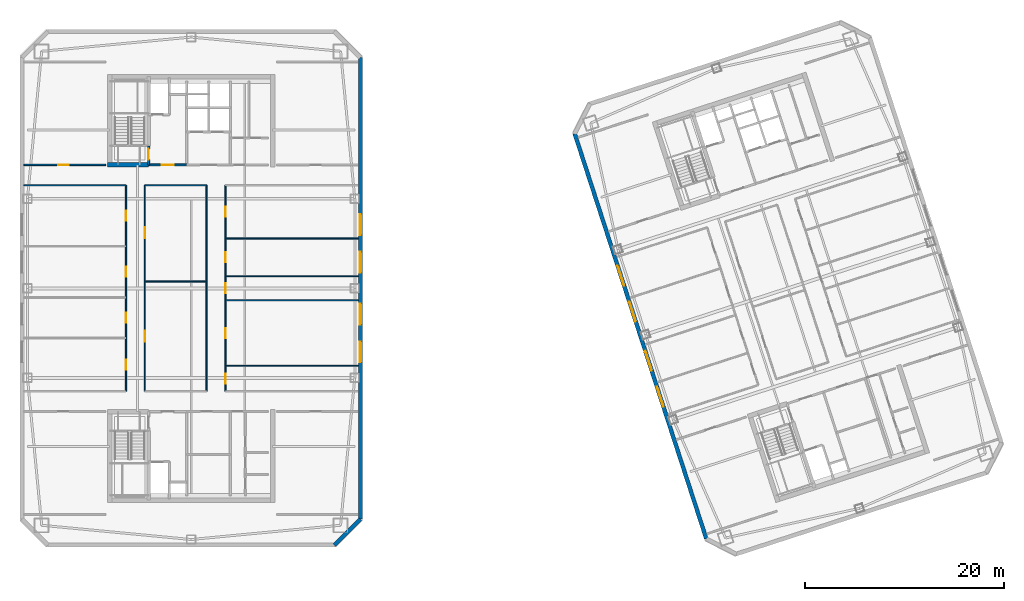
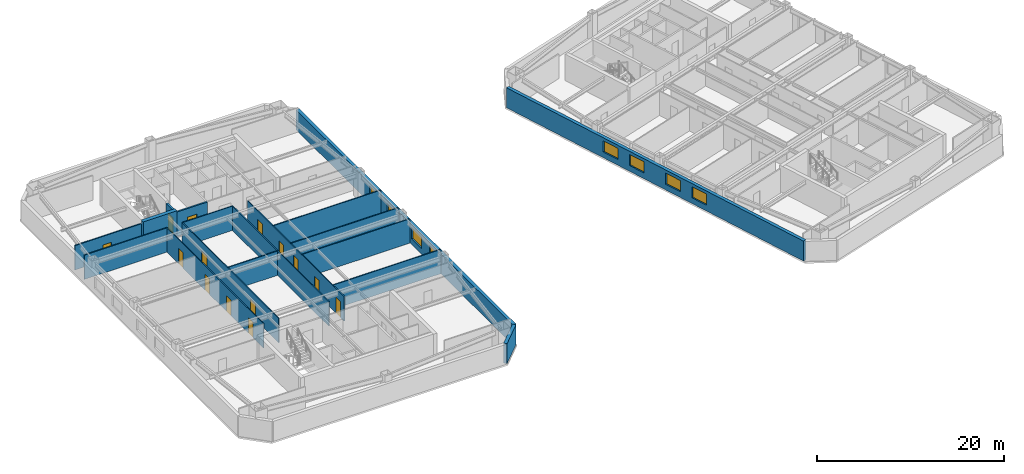
# One storey, part 6 of 13: 18 walls, 14 doors, 8 windows, 22 openings.
"""IFC4 building model written with IfcOpenShell, lengths in metres."""

from ifc_helpers import new_model, si_unit, direction, frame, frame_2d, origin, place, context, subcontext, project, spatial, rectangle, extrude, material, layer, layer_set, type_object, element, fill, save


model = new_model("IFC4")

# Units and contexts
model_context = context("Model", 3, precision=1e-05, world=origin(), true_north=direction((0.0, 1.0)))
body_context = subcontext(model_context, "Body", "Model", "MODEL_VIEW")
ifc_project = project(units=[si_unit("LENGTHUNIT", "METRE"), si_unit("AREAUNIT", "SQUARE_METRE"), si_unit("VOLUMEUNIT", "CUBIC_METRE"), si_unit("PLANEANGLEUNIT", "RADIAN"), si_unit("MASSUNIT", "GRAM", prefix="KILO")], contexts=[model_context])

# Site, building, storey
site_placement = place(None, origin())
site = spatial("IfcSite", under=ifc_project, at=site_placement, CompositionType="ELEMENT")
building_placement = place(site_placement, origin())
building = spatial("IfcBuilding", under=site, at=building_placement, Name="Qiaolan Cultural Towers", CompositionType="ELEMENT")
storey_placement = place(building_placement, frame((0.0, 0.0, 192.050048828125)))
storey = spatial("IfcBuildingStorey", under=building, at=storey_placement, Name="L51", CompositionType="ELEMENT", Elevation=192.050048828125)

# Wall
ifc_material_1 = material(Name="Concrete C50", Category="concrete")
ifc_layer_1 = layer(ifc_material_1, 0.449951171875)
ifc_layer_set_1 = layer_set([ifc_layer_1], Name="Concrete C50")
wall_type_1 = type_object("IfcWallType", Name="WL-CORE-450", PredefinedType="SHEAR", material=ifc_layer_set_1)
wall_1_placement = place(storey_placement, frame((21.574951171875, 46.39990234375, 0.0), z_axis=(0.0, 0.0, 1.0), x_axis=(1.0, 0.0, 0.0)))
element("IfcWall", 1, at=wall_1_placement, inside=storey, type_object=wall_type_1, Name="L51 T1-CN Stair Front Shear Wall", PredefinedType="SHEAR", context=body_context, shape_type="SweptSolid", body=[
    extrude(rectangle(XDim=4.14501953125, YDim=0.449951171875, at=frame_2d((2.072509765625, 0.0))), origin(), (0.0, 0.0, 1.0), 3.449951171875),
])

# Wall, openings, windows
ifc_material_2 = material(Name="Precast Concrete C50 Honed Stone Pier", Category="masonry")
ifc_layer_2 = layer(ifc_material_2, 0.39990234375)
ifc_layer_set_2 = layer_set([ifc_layer_2], Name="Precast Concrete C50 Honed Stone Pier")
wall_type_2 = type_object("IfcWallType", Name="WL-EXT-PIER-400", PredefinedType="SOLIDWALL", material=ifc_layer_set_2)
wall_2_placement = place(storey_placement, frame((47.0, 57.199951171875, 0.0), z_axis=(0.0, 0.0, 1.0), x_axis=(0.0, -1.0, 0.0)))
wall_2 = element("IfcWall", 2, at=wall_2_placement, inside=storey, type_object=wall_type_2, Name="L51 West Tower Precast Pier Facade Wall F5", PredefinedType="SOLIDWALL", context=body_context, shape_type="SweptSolid", body=[
    extrude(rectangle(XDim=46.39990234375, YDim=0.39990234375, at=frame_2d((23.199951171875, 0.0))), origin(), (0.0, 0.0, 1.0), 2.60986328125),
])
opening_1_placement = place(wall_2_placement, frame((28.550048828125, 0.0, 0.75)))
opening_1 = element("IfcOpeningElement", 3, at=opening_1_placement, cuts=wall_2, Name="Opening W-05", PredefinedType="OPENING", context=body_context, shape_type="SweptSolid", body=[
    extrude(rectangle(XDim=2.10009765625, YDim=1.4599609375, at=frame_2d((1.050048828125, 0.72998046875))), frame((0.0, 0.2099609375, 0.0), z_axis=(0.0, -1.0, 0.0), x_axis=(1.0, 0.0, 0.0)), (0.0, 0.0, 1.0), 0.419921875),
])
opening_2_placement = place(wall_2_placement, frame((24.75, 0.0, 0.75)))
opening_2 = element("IfcOpeningElement", 4, at=opening_2_placement, cuts=wall_2, Name="Opening W-05", PredefinedType="OPENING", context=body_context, shape_type="SweptSolid", body=[
    extrude(rectangle(XDim=2.10009765625, YDim=1.4599609375, at=frame_2d((1.050048828125, 0.72998046875))), frame((0.0, 0.2099609375, 0.0), z_axis=(0.0, -1.0, 0.0), x_axis=(1.0, 0.0, 0.0)), (0.0, 0.0, 1.0), 0.419921875),
])
opening_3_placement = place(wall_2_placement, frame((19.550048828125, 0.0, 0.75)))
opening_3 = element("IfcOpeningElement", 5, at=opening_3_placement, cuts=wall_2, Name="Opening W-05", PredefinedType="OPENING", context=body_context, shape_type="SweptSolid", body=[
    extrude(rectangle(XDim=2.10009765625, YDim=1.4599609375, at=frame_2d((1.050048828125, 0.72998046875))), frame((0.0, 0.2099609375, 0.0), z_axis=(0.0, -1.0, 0.0), x_axis=(1.0, 0.0, 0.0)), (0.0, 0.0, 1.0), 0.419921875),
])
opening_4_placement = place(wall_2_placement, frame((15.75, 0.0, 0.75)))
opening_4 = element("IfcOpeningElement", 6, at=opening_4_placement, cuts=wall_2, Name="Opening W-05", PredefinedType="OPENING", context=body_context, shape_type="SweptSolid", body=[
    extrude(rectangle(XDim=2.10009765625, YDim=1.4599609375, at=frame_2d((1.050048828125, 0.72998046875))), frame((0.0, 0.2099609375, 0.0), z_axis=(0.0, -1.0, 0.0), x_axis=(1.0, 0.0, 0.0)), (0.0, 0.0, 1.0), 0.419921875),
])
ifc_material_3 = material(Name="Thermally Broken Aluminium Triple Low-E Glazing", Category="aluminium")
window_type = type_object("IfcWindowType", Name="WN-CHIC-2100", PartitioningType="SINGLE_PANEL", PredefinedType="WINDOW", material=ifc_material_3)
window_1_placement = place(opening_1_placement, origin())
window_1 = element("IfcWindow", 7, at=window_1_placement, inside=storey, type_object=window_type, Name="L51 T1 E Chicago Bay Window 1", OverallHeight=1.4599609375, OverallWidth=2.10009765625, PartitioningType="TRIPLE_PANEL_VERTICAL", PredefinedType="WINDOW", context=body_context, shape_type="SweptSolid", body=[
    extrude(rectangle(XDim=2.10009765625, YDim=1.4599609375, at=frame_2d((1.050048828125, 0.72998046875))), frame((0.0, 0.030029296875, 0.0), z_axis=(0.0, -1.0, 0.0), x_axis=(1.0, 0.0, 0.0)), (0.0, 0.0, 1.0), 0.06005859375),
])
fill(opening_1, window_1)
window_2_placement = place(opening_2_placement, origin())
window_2 = element("IfcWindow", 8, at=window_2_placement, inside=storey, type_object=window_type, Name="L51 T1 E Chicago Bay Window 2", OverallHeight=1.4599609375, OverallWidth=2.10009765625, PartitioningType="TRIPLE_PANEL_VERTICAL", PredefinedType="WINDOW", context=body_context, shape_type="SweptSolid", body=[
    extrude(rectangle(XDim=2.10009765625, YDim=1.4599609375, at=frame_2d((1.050048828125, 0.72998046875))), frame((0.0, 0.030029296875, 0.0), z_axis=(0.0, -1.0, 0.0), x_axis=(1.0, 0.0, 0.0)), (0.0, 0.0, 1.0), 0.06005859375),
])
fill(opening_2, window_2)
window_3_placement = place(opening_3_placement, origin())
window_3 = element("IfcWindow", 9, at=window_3_placement, inside=storey, type_object=window_type, Name="L51 T1 E Chicago Bay Window 3", OverallHeight=1.4599609375, OverallWidth=2.10009765625, PartitioningType="TRIPLE_PANEL_VERTICAL", PredefinedType="WINDOW", context=body_context, shape_type="SweptSolid", body=[
    extrude(rectangle(XDim=2.10009765625, YDim=1.4599609375, at=frame_2d((1.050048828125, 0.72998046875))), frame((0.0, 0.030029296875, 0.0), z_axis=(0.0, -1.0, 0.0), x_axis=(1.0, 0.0, 0.0)), (0.0, 0.0, 1.0), 0.06005859375),
])
fill(opening_3, window_3)
window_4_placement = place(opening_4_placement, origin())
window_4 = element("IfcWindow", 10, at=window_4_placement, inside=storey, type_object=window_type, Name="L51 T1 E Chicago Bay Window 4", OverallHeight=1.4599609375, OverallWidth=2.10009765625, PartitioningType="TRIPLE_PANEL_VERTICAL", PredefinedType="WINDOW", context=body_context, shape_type="SweptSolid", body=[
    extrude(rectangle(XDim=2.10009765625, YDim=1.4599609375, at=frame_2d((1.050048828125, 0.72998046875))), frame((0.0, 0.030029296875, 0.0), z_axis=(0.0, -1.0, 0.0), x_axis=(1.0, 0.0, 0.0)), (0.0, 0.0, 1.0), 0.06005859375),
])
fill(opening_4, window_4)

# Wall
wall_3_placement = place(storey_placement, frame((47.0, 10.800048828125, 0.0), z_axis=(0.0, 0.0, 1.0), x_axis=(-0.707106781187, -0.707106781187, 0.0)))
element("IfcWall", 11, at=wall_3_placement, inside=storey, type_object=wall_type_2, Name="L51 West Tower Precast Pier Facade Wall F6", PredefinedType="SOLIDWALL", context=body_context, shape_type="SweptSolid", body=[
    extrude(rectangle(XDim=3.677001953125, YDim=0.39990234375, at=frame_2d((1.83837890625, 0.0))), origin(), (0.0, 0.0, 1.0), 2.60986328125),
])

# Wall, openings, windows
wall_4_placement = place(storey_placement, frame((81.7763671875, 8.82666015625, 0.0), z_axis=(0.0, 0.0, 1.0), x_axis=(-0.309014228706, 0.951057414911, 0.0)))
wall_4 = element("IfcWall", 12, at=wall_4_placement, inside=storey, type_object=wall_type_2, Name="L51 East Tower Precast Pier Facade Wall F1", PredefinedType="SOLIDWALL", context=body_context, shape_type="SweptSolid", body=[
    extrude(rectangle(XDim=42.800048828125, YDim=0.39990234375, at=frame_2d((21.39990234375, 0.0))), origin(), (0.0, 0.0, 1.0), 2.60986328125),
])
opening_5_placement = place(wall_4_placement, frame((13.949951171875, 0.0, 0.75)))
opening_5 = element("IfcOpeningElement", 13, at=opening_5_placement, cuts=wall_4, Name="Opening W-05", PredefinedType="OPENING", context=body_context, shape_type="SweptSolid", body=[
    extrude(rectangle(XDim=2.10009765625, YDim=1.4599609375, at=frame_2d((1.050048828125, 0.72998046875))), frame((0.0, 0.2099609375, 0.0), z_axis=(0.0, -1.0, 0.0), x_axis=(1.0, 0.0, 0.0)), (0.0, 0.0, 1.0), 0.419921875),
])
opening_6_placement = place(wall_4_placement, frame((17.75, 0.0, 0.75)))
opening_6 = element("IfcOpeningElement", 14, at=opening_6_placement, cuts=wall_4, Name="Opening W-05", PredefinedType="OPENING", context=body_context, shape_type="SweptSolid", body=[
    extrude(rectangle(XDim=2.10009765625, YDim=1.4599609375, at=frame_2d((1.050048828125, 0.72998046875))), frame((0.0, 0.2099609375, 0.0), z_axis=(0.0, -1.0, 0.0), x_axis=(1.0, 0.0, 0.0)), (0.0, 0.0, 1.0), 0.419921875),
])
opening_7_placement = place(wall_4_placement, frame((22.949951171875, 0.0, 0.75)))
opening_7 = element("IfcOpeningElement", 15, at=opening_7_placement, cuts=wall_4, Name="Opening W-05", PredefinedType="OPENING", context=body_context, shape_type="SweptSolid", body=[
    extrude(rectangle(XDim=2.10009765625, YDim=1.4599609375, at=frame_2d((1.050048828125, 0.72998046875))), frame((0.0, 0.2099609375, 0.0), z_axis=(0.0, -1.0, 0.0), x_axis=(1.0, 0.0, 0.0)), (0.0, 0.0, 1.0), 0.419921875),
])
opening_8_placement = place(wall_4_placement, frame((26.75, 0.0, 0.75)))
opening_8 = element("IfcOpeningElement", 16, at=opening_8_placement, cuts=wall_4, Name="Opening W-05", PredefinedType="OPENING", context=body_context, shape_type="SweptSolid", body=[
    extrude(rectangle(XDim=2.10009765625, YDim=1.4599609375, at=frame_2d((1.050048828125, 0.72998046875))), frame((0.0, 0.2099609375, 0.0), z_axis=(0.0, -1.0, 0.0), x_axis=(1.0, 0.0, 0.0)), (0.0, 0.0, 1.0), 0.419921875),
])
window_5_placement = place(opening_5_placement, origin())
window_5 = element("IfcWindow", 17, at=window_5_placement, inside=storey, type_object=window_type, Name="L51 T2 W Chicago Bay Window 1", OverallHeight=1.4599609375, OverallWidth=2.10009765625, PartitioningType="TRIPLE_PANEL_VERTICAL", PredefinedType="WINDOW", context=body_context, shape_type="SweptSolid", body=[
    extrude(rectangle(XDim=2.10009765625, YDim=1.4599609375, at=frame_2d((1.050048828125, 0.72998046875))), frame((0.0, 0.030029296875, 0.0), z_axis=(0.0, -1.0, 0.0), x_axis=(1.0, 0.0, 0.0)), (0.0, 0.0, 1.0), 0.06005859375),
])
fill(opening_5, window_5)
window_6_placement = place(opening_6_placement, origin())
window_6 = element("IfcWindow", 18, at=window_6_placement, inside=storey, type_object=window_type, Name="L51 T2 W Chicago Bay Window 2", OverallHeight=1.4599609375, OverallWidth=2.10009765625, PartitioningType="TRIPLE_PANEL_VERTICAL", PredefinedType="WINDOW", context=body_context, shape_type="SweptSolid", body=[
    extrude(rectangle(XDim=2.10009765625, YDim=1.4599609375, at=frame_2d((1.050048828125, 0.72998046875))), frame((0.0, 0.030029296875, 0.0), z_axis=(0.0, -1.0, 0.0), x_axis=(1.0, 0.0, 0.0)), (0.0, 0.0, 1.0), 0.06005859375),
])
fill(opening_6, window_6)
window_7_placement = place(opening_7_placement, origin())
window_7 = element("IfcWindow", 19, at=window_7_placement, inside=storey, type_object=window_type, Name="L51 T2 W Chicago Bay Window 3", OverallHeight=1.4599609375, OverallWidth=2.10009765625, PartitioningType="TRIPLE_PANEL_VERTICAL", PredefinedType="WINDOW", context=body_context, shape_type="SweptSolid", body=[
    extrude(rectangle(XDim=2.10009765625, YDim=1.4599609375, at=frame_2d((1.050048828125, 0.72998046875))), frame((0.0, 0.030029296875, 0.0), z_axis=(0.0, -1.0, 0.0), x_axis=(1.0, 0.0, 0.0)), (0.0, 0.0, 1.0), 0.06005859375),
])
fill(opening_7, window_7)
window_8_placement = place(opening_8_placement, origin())
window_8 = element("IfcWindow", 20, at=window_8_placement, inside=storey, type_object=window_type, Name="L51 T2 W Chicago Bay Window 4", OverallHeight=1.4599609375, OverallWidth=2.10009765625, PartitioningType="TRIPLE_PANEL_VERTICAL", PredefinedType="WINDOW", context=body_context, shape_type="SweptSolid", body=[
    extrude(rectangle(XDim=2.10009765625, YDim=1.4599609375, at=frame_2d((1.050048828125, 0.72998046875))), frame((0.0, 0.030029296875, 0.0), z_axis=(0.0, -1.0, 0.0), x_axis=(1.0, 0.0, 0.0)), (0.0, 0.0, 1.0), 0.06005859375),
])
fill(opening_8, window_8)

# Wall, opening, door
ifc_material_4 = material(Name="Concrete C35 Fire Wall", Category="concrete")
ifc_layer_3 = layer(ifc_material_4, 0.199951171875)
ifc_layer_set_3 = layer_set([ifc_layer_3], Name="Concrete C35 Fire Wall")
wall_type_3 = type_object("IfcWallType", Name="WL-FIRE-200", PredefinedType="PARTITIONING", material=ifc_layer_set_3)
wall_5_placement = place(storey_placement, frame((25.719970703125, 46.39990234375, 0.0), z_axis=(0.0, 0.0, 1.0), x_axis=(0.0, 1.0, 0.0)))
wall_5 = element("IfcWall", 21, at=wall_5_placement, inside=storey, type_object=wall_type_3, Name="L51 T1-CN Smokeproof Stair Entry Wall", PredefinedType="PARTITIONING", context=body_context, shape_type="SweptSolid", body=[
    extrude(rectangle(XDim=1.900146484375, YDim=0.199951171875, at=frame_2d((0.9501953125, 0.0))), origin(), (0.0, 0.0, 1.0), 3.175048828125),
])
opening_9_placement = place(wall_5_placement, frame((0.52001953125, 0.0, 0.0)))
opening_9 = element("IfcOpeningElement", 22, at=opening_9_placement, cuts=wall_5, Name="Opening FD-04", PredefinedType="OPENING", context=body_context, shape_type="SweptSolid", body=[
    extrude(rectangle(XDim=1.10009765625, YDim=2.050048828125, at=frame_2d((0.550048828125, 1.02490234375))), frame((0.0, 0.10986328125, 0.0), z_axis=(0.0, -1.0, 0.0), x_axis=(1.0, 0.0, 0.0)), (0.0, 0.0, 1.0), 0.219970703125),
])
ifc_material_5 = material(Name="Galvanized Steel Command Fire Door", Category="steel")
door_type_1 = type_object("IfcDoorType", Name="DR-FD90-1100", OperationType="NOTDEFINED", PredefinedType="DOOR", material=ifc_material_5)
door_1_placement = place(opening_9_placement, origin())
door_1 = element("IfcDoor", 23, at=door_1_placement, inside=storey, type_object=door_type_1, Name="L51 ST-W2 Smokeproof Stair Fire Door", OperationType="SINGLE_SWING_LEFT", OverallHeight=2.050048828125, OverallWidth=1.10009765625, PredefinedType="DOOR", context=body_context, shape_type="SweptSolid", body=[
    extrude(rectangle(XDim=1.10009765625, YDim=2.050048828125, at=frame_2d((0.550048828125, 1.02490234375))), frame((0.0, 0.02490234375, 0.0), z_axis=(0.0, -1.0, 0.0), x_axis=(1.0, 0.0, 0.0)), (0.0, 0.0, 1.0), 0.050048828125),
])
fill(opening_9, door_1)

wall_6_placement = place(storey_placement, frame((25.719970703125, 46.39990234375, 0.0), z_axis=(0.0, 0.0, 1.0), x_axis=(1.0, 0.0, 0.0)))
wall_6 = element("IfcWall", 24, at=wall_6_placement, inside=storey, type_object=wall_type_3, Name="L51 T1-CN Firefighting Lobby Front Wall", PredefinedType="PARTITIONING", context=body_context, shape_type="SweptSolid", body=[
    extrude(rectangle(XDim=3.830078125, YDim=0.199951171875, at=frame_2d((1.9150390625, 0.0))), origin(), (0.0, 0.0, 1.0), 3.175048828125),
])
opening_10_placement = place(wall_6_placement, frame((1.35009765625, 0.0, 0.0)))
opening_10 = element("IfcOpeningElement", 25, at=opening_10_placement, cuts=wall_6, Name="Opening FD-03", PredefinedType="OPENING", context=body_context, shape_type="SweptSolid", body=[
    extrude(rectangle(XDim=1.199951171875, YDim=2.050048828125, at=frame_2d((0.60009765625, 1.02490234375))), frame((0.0, 0.10986328125, 0.0), z_axis=(0.0, -1.0, 0.0), x_axis=(1.0, 0.0, 0.0)), (0.0, 0.0, 1.0), 0.219970703125),
])
ifc_material_6 = material(Name="Galvanized Steel Smokeproof Lobby Fire Door", Category="steel")
door_type_2 = type_object("IfcDoorType", Name="DR-FD90-1200", OperationType="NOTDEFINED", PredefinedType="DOOR", material=ifc_material_6)
door_2_placement = place(opening_10_placement, origin())
door_2 = element("IfcDoor", 26, at=door_2_placement, inside=storey, type_object=door_type_2, Name="L51 FFL-W2 Firefighting Lobby Fire Door", OperationType="SINGLE_SWING_LEFT", OverallHeight=2.050048828125, OverallWidth=1.199951171875, PredefinedType="DOOR", context=body_context, shape_type="SweptSolid", body=[
    extrude(rectangle(XDim=1.199951171875, YDim=2.050048828125, at=frame_2d((0.60009765625, 1.02490234375))), frame((0.0, 0.02490234375, 0.0), z_axis=(0.0, -1.0, 0.0), x_axis=(1.0, 0.0, 0.0)), (0.0, 0.0, 1.0), 0.050048828125),
])
fill(opening_10, door_2)

# Walls
ifc_material_7 = material(Name="Gypsum Stud Acoustic Partition", Category="gypsum")
ifc_layer_4 = layer(ifc_material_7, 0.1201171875)
ifc_layer_set_4 = layer_set([ifc_layer_4], Name="Gypsum Stud Acoustic Partition")
wall_type_4 = type_object("IfcWallType", Name="WL-PART-120", PredefinedType="PARTITIONING", material=ifc_layer_set_4)
wall_7_placement = place(storey_placement, frame((13.199951171875, 44.35009765625, 0.0), z_axis=(0.0, 0.0, 1.0), x_axis=(1.0, 0.0, 0.0)))
element("IfcWall", 27, at=wall_7_placement, inside=storey, type_object=wall_type_4, Name="L51 T1 Interior Wall", PredefinedType="PARTITIONING", context=body_context, shape_type="SweptSolid", body=[
    extrude(rectangle(XDim=10.25, YDim=0.1201171875, at=frame_2d((5.125, 0.0))), origin(), (0.0, 0.0, 1.0), 3.175048828125),
])
wall_8_placement = place(storey_placement, frame((25.35009765625, 44.35009765625, 0.0), z_axis=(0.0, 0.0, 1.0), x_axis=(1.0, 0.0, 0.0)))
element("IfcWall", 28, at=wall_8_placement, inside=storey, type_object=wall_type_4, Name="L51 T1 Interior Wall", PredefinedType="PARTITIONING", context=body_context, shape_type="SweptSolid", body=[
    extrude(rectangle(XDim=6.199951171875, YDim=0.1201171875, at=frame_2d((3.10009765625, 0.0))), origin(), (0.0, 0.0, 1.0), 3.175048828125),
])

# Wall, openings, doors
wall_9_placement = place(storey_placement, frame((23.449951171875, 23.64990234375, 0.0), z_axis=(0.0, 0.0, 1.0), x_axis=(0.0, 1.0, 0.0)))
wall_9 = element("IfcWall", 29, at=wall_9_placement, inside=storey, type_object=wall_type_4, Name="L51 T1 Interior Wall", PredefinedType="PARTITIONING", context=body_context, shape_type="SweptSolid", body=[
    extrude(rectangle(XDim=20.7001953125, YDim=0.1201171875, at=frame_2d((10.35009765625, 0.0))), origin(), (0.0, 0.0, 1.0), 3.175048828125),
])
opening_11_placement = place(wall_9_placement, frame((2.175048828125, 0.0, 0.0)))
opening_11 = element("IfcOpeningElement", 30, at=opening_11_placement, cuts=wall_9, Name="Opening ID-04", PredefinedType="OPENING", context=body_context, shape_type="SweptSolid", body=[
    extrude(rectangle(XDim=1.0, YDim=2.050048828125, at=frame_2d((0.5, 1.02490234375))), frame((0.0, 0.070068359375, 0.0), z_axis=(0.0, -1.0, 0.0), x_axis=(1.0, 0.0, 0.0)), (0.0, 0.0, 1.0), 0.14013671875),
])
opening_12_placement = place(wall_9_placement, frame((6.882568359375, 0.0, 0.0)))
opening_12 = element("IfcOpeningElement", 31, at=opening_12_placement, cuts=wall_9, Name="Opening ID-04", PredefinedType="OPENING", context=body_context, shape_type="SweptSolid", body=[
    extrude(rectangle(XDim=1.0, YDim=2.050048828125, at=frame_2d((0.5, 1.02490234375))), frame((0.0, 0.070068359375, 0.0), z_axis=(0.0, -1.0, 0.0), x_axis=(1.0, 0.0, 0.0)), (0.0, 0.0, 1.0), 0.14013671875),
])
opening_13_placement = place(wall_9_placement, frame((11.50244140625, 0.0, 0.0)))
opening_13 = element("IfcOpeningElement", 32, at=opening_13_placement, cuts=wall_9, Name="Opening ID-04", PredefinedType="OPENING", context=body_context, shape_type="SweptSolid", body=[
    extrude(rectangle(XDim=1.0, YDim=2.050048828125, at=frame_2d((0.5, 1.02490234375))), frame((0.0, 0.070068359375, 0.0), z_axis=(0.0, -1.0, 0.0), x_axis=(1.0, 0.0, 0.0)), (0.0, 0.0, 1.0), 0.14013671875),
])
opening_14_placement = place(wall_9_placement, frame((17.14501953125, 0.0, 0.0)))
opening_14 = element("IfcOpeningElement", 33, at=opening_14_placement, cuts=wall_9, Name="Opening ID-04", PredefinedType="OPENING", context=body_context, shape_type="SweptSolid", body=[
    extrude(rectangle(XDim=1.0, YDim=2.050048828125, at=frame_2d((0.5, 1.02490234375))), frame((0.0, 0.070068359375, 0.0), z_axis=(0.0, -1.0, 0.0), x_axis=(1.0, 0.0, 0.0)), (0.0, 0.0, 1.0), 0.14013671875),
])
ifc_material_8 = material(Name="Oak Veneer Acoustic Office Door", Category="timber")
door_type_3 = type_object("IfcDoorType", Name="DR-INT-1000", OperationType="NOTDEFINED", PredefinedType="DOOR", material=ifc_material_8)
door_3_placement = place(opening_11_placement, origin())
door_3 = element("IfcDoor", 34, at=door_3_placement, inside=storey, type_object=door_type_3, Name="L51 T1 International Law Office Door", OperationType="SINGLE_SWING_LEFT", OverallHeight=2.050048828125, OverallWidth=1.0, PredefinedType="DOOR", context=body_context, shape_type="SweptSolid", body=[
    extrude(rectangle(XDim=1.0, YDim=2.050048828125, at=frame_2d((0.5, 1.02490234375))), frame((0.0, 0.02490234375, 0.0), z_axis=(0.0, -1.0, 0.0), x_axis=(1.0, 0.0, 0.0)), (0.0, 0.0, 1.0), 0.050048828125),
])
fill(opening_11, door_3)
door_4_placement = place(opening_12_placement, origin())
door_4 = element("IfcDoor", 35, at=door_4_placement, inside=storey, type_object=door_type_3, Name="L51 T1 International Law Office Door", OperationType="SINGLE_SWING_RIGHT", OverallHeight=2.050048828125, OverallWidth=1.0, PredefinedType="DOOR", context=body_context, shape_type="SweptSolid", body=[
    extrude(rectangle(XDim=1.0, YDim=2.050048828125, at=frame_2d((0.5, 1.02490234375))), frame((0.0, 0.02490234375, 0.0), z_axis=(0.0, -1.0, 0.0), x_axis=(1.0, 0.0, 0.0)), (0.0, 0.0, 1.0), 0.050048828125),
])
fill(opening_12, door_4)
door_5_placement = place(opening_13_placement, origin())
door_5 = element("IfcDoor", 36, at=door_5_placement, inside=storey, type_object=door_type_3, Name="L51 T1 International Law Office Door", OperationType="SINGLE_SWING_LEFT", OverallHeight=2.050048828125, OverallWidth=1.0, PredefinedType="DOOR", context=body_context, shape_type="SweptSolid", body=[
    extrude(rectangle(XDim=1.0, YDim=2.050048828125, at=frame_2d((0.5, 1.02490234375))), frame((0.0, 0.02490234375, 0.0), z_axis=(0.0, -1.0, 0.0), x_axis=(1.0, 0.0, 0.0)), (0.0, 0.0, 1.0), 0.050048828125),
])
fill(opening_13, door_5)
door_6_placement = place(opening_14_placement, origin())
door_6 = element("IfcDoor", 37, at=door_6_placement, inside=storey, type_object=door_type_3, Name="L51 T1 Arbitration Room Door", OperationType="SINGLE_SWING_RIGHT", OverallHeight=2.050048828125, OverallWidth=1.0, PredefinedType="DOOR", context=body_context, shape_type="SweptSolid", body=[
    extrude(rectangle(XDim=1.0, YDim=2.050048828125, at=frame_2d((0.5, 1.02490234375))), frame((0.0, 0.02490234375, 0.0), z_axis=(0.0, -1.0, 0.0), x_axis=(1.0, 0.0, 0.0)), (0.0, 0.0, 1.0), 0.050048828125),
])
fill(opening_14, door_6)

wall_10_placement = place(storey_placement, frame((25.35009765625, 23.64990234375, 0.0), z_axis=(0.0, 0.0, 1.0), x_axis=(0.0, 1.0, 0.0)))
wall_10 = element("IfcWall", 38, at=wall_10_placement, inside=storey, type_object=wall_type_4, Name="L51 T1 Interior Wall", PredefinedType="PARTITIONING", context=body_context, shape_type="SweptSolid", body=[
    extrude(rectangle(XDim=20.7001953125, YDim=0.1201171875, at=frame_2d((10.35009765625, 0.0))), origin(), (0.0, 0.0, 1.0), 3.175048828125),
])
opening_15_placement = place(wall_10_placement, frame((4.96337890625, 0.0, 0.0)))
opening_15 = element("IfcOpeningElement", 39, at=opening_15_placement, cuts=wall_10, Name="Opening ID-03", PredefinedType="OPENING", context=body_context, shape_type="SweptSolid", body=[
    extrude(rectangle(XDim=1.10009765625, YDim=2.050048828125, at=frame_2d((0.550048828125, 1.02490234375))), frame((0.0, 0.070068359375, 0.0), z_axis=(0.0, -1.0, 0.0), x_axis=(1.0, 0.0, 0.0)), (0.0, 0.0, 1.0), 0.14013671875),
])
opening_16_placement = place(wall_10_placement, frame((15.381591796875, 0.0, 0.0)))
opening_16 = element("IfcOpeningElement", 40, at=opening_16_placement, cuts=wall_10, Name="Opening ID-03", PredefinedType="OPENING", context=body_context, shape_type="SweptSolid", body=[
    extrude(rectangle(XDim=1.10009765625, YDim=2.050048828125, at=frame_2d((0.550048828125, 1.02490234375))), frame((0.0, 0.070068359375, 0.0), z_axis=(0.0, -1.0, 0.0), x_axis=(1.0, 0.0, 0.0)), (0.0, 0.0, 1.0), 0.14013671875),
])
ifc_material_9 = material(Name="Oak Veneer Solid-Core Boardroom Door", Category="timber")
door_type_4 = type_object("IfcDoorType", Name="DR-INT-1100", OperationType="NOTDEFINED", PredefinedType="DOOR", material=ifc_material_9)
door_7_placement = place(opening_15_placement, origin())
door_7 = element("IfcDoor", 41, at=door_7_placement, inside=storey, type_object=door_type_4, Name="L51 T1 Central Boardroom Door", OperationType="SINGLE_SWING_LEFT", OverallHeight=2.050048828125, OverallWidth=1.10009765625, PredefinedType="DOOR", context=body_context, shape_type="SweptSolid", body=[
    extrude(rectangle(XDim=1.10009765625, YDim=2.050048828125, at=frame_2d((0.550048828125, 1.02490234375))), frame((0.0, 0.02490234375, 0.0), z_axis=(0.0, -1.0, 0.0), x_axis=(1.0, 0.0, 0.0)), (0.0, 0.0, 1.0), 0.050048828125),
])
fill(opening_15, door_7)
door_8_placement = place(opening_16_placement, origin())
door_8 = element("IfcDoor", 42, at=door_8_placement, inside=storey, type_object=door_type_4, Name="L51 T1 Central Archive Salon Door", OperationType="SINGLE_SWING_RIGHT", OverallHeight=2.050048828125, OverallWidth=1.10009765625, PredefinedType="DOOR", context=body_context, shape_type="SweptSolid", body=[
    extrude(rectangle(XDim=1.10009765625, YDim=2.050048828125, at=frame_2d((0.550048828125, 1.02490234375))), frame((0.0, 0.02490234375, 0.0), z_axis=(0.0, -1.0, 0.0), x_axis=(1.0, 0.0, 0.0)), (0.0, 0.0, 1.0), 0.050048828125),
])
fill(opening_16, door_8)

# Wall
wall_11_placement = place(storey_placement, frame((31.550048828125, 23.64990234375, 0.0), z_axis=(0.0, 0.0, 1.0), x_axis=(0.0, 1.0, 0.0)))
element("IfcWall", 43, at=wall_11_placement, inside=storey, type_object=wall_type_4, Name="L51 T1 Interior Wall", PredefinedType="PARTITIONING", context=body_context, shape_type="SweptSolid", body=[
    extrude(rectangle(XDim=20.7001953125, YDim=0.1201171875, at=frame_2d((10.35009765625, 0.0))), origin(), (0.0, 0.0, 1.0), 3.175048828125),
])

# Wall, openings, doors
wall_12_placement = place(storey_placement, frame((33.449951171875, 23.64990234375, 0.0), z_axis=(0.0, 0.0, 1.0), x_axis=(0.0, 1.0, 0.0)))
wall_12 = element("IfcWall", 44, at=wall_12_placement, inside=storey, type_object=wall_type_4, Name="L51 T1 Interior Wall", PredefinedType="PARTITIONING", context=body_context, shape_type="SweptSolid", body=[
    extrude(rectangle(XDim=20.7001953125, YDim=0.1201171875, at=frame_2d((10.35009765625, 0.0))), origin(), (0.0, 0.0, 1.0), 3.175048828125),
])
opening_17_placement = place(wall_12_placement, frame((0.77490234375, 0.0, 0.0)))
opening_17 = element("IfcOpeningElement", 45, at=opening_17_placement, cuts=wall_12, Name="Opening ID-04", PredefinedType="OPENING", context=body_context, shape_type="SweptSolid", body=[
    extrude(rectangle(XDim=1.0, YDim=2.050048828125, at=frame_2d((0.5, 1.02490234375))), frame((0.0, 0.070068359375, 0.0), z_axis=(0.0, -1.0, 0.0), x_axis=(1.0, 0.0, 0.0)), (0.0, 0.0, 1.0), 0.14013671875),
])
opening_18_placement = place(wall_12_placement, frame((5.35009765625, 0.0, 0.0)))
opening_18 = element("IfcOpeningElement", 46, at=opening_18_placement, cuts=wall_12, Name="Opening ID-04", PredefinedType="OPENING", context=body_context, shape_type="SweptSolid", body=[
    extrude(rectangle(XDim=1.0, YDim=2.050048828125, at=frame_2d((0.5, 1.02490234375))), frame((0.0, 0.070068359375, 0.0), z_axis=(0.0, -1.0, 0.0), x_axis=(1.0, 0.0, 0.0)), (0.0, 0.0, 1.0), 0.14013671875),
])
opening_19_placement = place(wall_12_placement, frame((9.85009765625, 0.0, 0.0)))
opening_19 = element("IfcOpeningElement", 47, at=opening_19_placement, cuts=wall_12, Name="Opening ID-04", PredefinedType="OPENING", context=body_context, shape_type="SweptSolid", body=[
    extrude(rectangle(XDim=1.0, YDim=2.050048828125, at=frame_2d((0.5, 1.02490234375))), frame((0.0, 0.070068359375, 0.0), z_axis=(0.0, -1.0, 0.0), x_axis=(1.0, 0.0, 0.0)), (0.0, 0.0, 1.0), 0.14013671875),
])
opening_20_placement = place(wall_12_placement, frame((12.949951171875, 0.0, 0.0)))
opening_20 = element("IfcOpeningElement", 48, at=opening_20_placement, cuts=wall_12, Name="Opening ID-04", PredefinedType="OPENING", context=body_context, shape_type="SweptSolid", body=[
    extrude(rectangle(XDim=1.0, YDim=2.050048828125, at=frame_2d((0.5, 1.02490234375))), frame((0.0, 0.070068359375, 0.0), z_axis=(0.0, -1.0, 0.0), x_axis=(1.0, 0.0, 0.0)), (0.0, 0.0, 1.0), 0.14013671875),
])
opening_21_placement = place(wall_12_placement, frame((17.52490234375, 0.0, 0.0)))
opening_21 = element("IfcOpeningElement", 49, at=opening_21_placement, cuts=wall_12, Name="Opening ID-04", PredefinedType="OPENING", context=body_context, shape_type="SweptSolid", body=[
    extrude(rectangle(XDim=1.0, YDim=2.050048828125, at=frame_2d((0.5, 1.02490234375))), frame((0.0, 0.070068359375, 0.0), z_axis=(0.0, -1.0, 0.0), x_axis=(1.0, 0.0, 0.0)), (0.0, 0.0, 1.0), 0.14013671875),
])
door_9_placement = place(opening_17_placement, origin())
door_9 = element("IfcDoor", 50, at=door_9_placement, inside=storey, type_object=door_type_3, Name="L51 T1 Legal Library Salon Door", OperationType="SINGLE_SWING_RIGHT", OverallHeight=2.050048828125, OverallWidth=1.0, PredefinedType="DOOR", context=body_context, shape_type="SweptSolid", body=[
    extrude(rectangle(XDim=1.0, YDim=2.050048828125, at=frame_2d((0.5, 1.02490234375))), frame((0.0, 0.02490234375, 0.0), z_axis=(0.0, -1.0, 0.0), x_axis=(1.0, 0.0, 0.0)), (0.0, 0.0, 1.0), 0.050048828125),
])
fill(opening_17, door_9)
door_10_placement = place(opening_18_placement, origin())
door_10 = element("IfcDoor", 51, at=door_10_placement, inside=storey, type_object=door_type_3, Name="L51 T1 Client Hospitality Kitchen Door", OperationType="SINGLE_SWING_LEFT", OverallHeight=2.050048828125, OverallWidth=1.0, PredefinedType="DOOR", context=body_context, shape_type="SweptSolid", body=[
    extrude(rectangle(XDim=1.0, YDim=2.050048828125, at=frame_2d((0.5, 1.02490234375))), frame((0.0, 0.02490234375, 0.0), z_axis=(0.0, -1.0, 0.0), x_axis=(1.0, 0.0, 0.0)), (0.0, 0.0, 1.0), 0.050048828125),
])
fill(opening_18, door_10)
door_11_placement = place(opening_19_placement, origin())
door_11 = element("IfcDoor", 52, at=door_11_placement, inside=storey, type_object=door_type_3, Name="L51 T1 Client Hospitality Kitchen Door", OperationType="SINGLE_SWING_RIGHT", OverallHeight=2.050048828125, OverallWidth=1.0, PredefinedType="DOOR", context=body_context, shape_type="SweptSolid", body=[
    extrude(rectangle(XDim=1.0, YDim=2.050048828125, at=frame_2d((0.5, 1.02490234375))), frame((0.0, 0.02490234375, 0.0), z_axis=(0.0, -1.0, 0.0), x_axis=(1.0, 0.0, 0.0)), (0.0, 0.0, 1.0), 0.050048828125),
])
fill(opening_19, door_11)
door_12_placement = place(opening_20_placement, origin())
door_12 = element("IfcDoor", 53, at=door_12_placement, inside=storey, type_object=door_type_3, Name="L51 T1 Counsel Lounge Door", OperationType="SINGLE_SWING_LEFT", OverallHeight=2.050048828125, OverallWidth=1.0, PredefinedType="DOOR", context=body_context, shape_type="SweptSolid", body=[
    extrude(rectangle(XDim=1.0, YDim=2.050048828125, at=frame_2d((0.5, 1.02490234375))), frame((0.0, 0.02490234375, 0.0), z_axis=(0.0, -1.0, 0.0), x_axis=(1.0, 0.0, 0.0)), (0.0, 0.0, 1.0), 0.050048828125),
])
fill(opening_20, door_12)
door_13_placement = place(opening_21_placement, origin())
door_13 = element("IfcDoor", 54, at=door_13_placement, inside=storey, type_object=door_type_3, Name="L51 T1 First-Aid Care Room Door", OperationType="SINGLE_SWING_RIGHT", OverallHeight=2.050048828125, OverallWidth=1.0, PredefinedType="DOOR", context=body_context, shape_type="SweptSolid", body=[
    extrude(rectangle(XDim=1.0, YDim=2.050048828125, at=frame_2d((0.5, 1.02490234375))), frame((0.0, 0.02490234375, 0.0), z_axis=(0.0, -1.0, 0.0), x_axis=(1.0, 0.0, 0.0)), (0.0, 0.0, 1.0), 0.050048828125),
])
fill(opening_21, door_13)

# Walls
wall_13_placement = place(storey_placement, frame((25.35009765625, 34.679931640625, 0.0), z_axis=(0.0, 0.0, 1.0), x_axis=(1.0, 0.0, 0.0)))
element("IfcWall", 55, at=wall_13_placement, inside=storey, type_object=wall_type_4, Name="L51 T1 Interior Wall", PredefinedType="PARTITIONING", context=body_context, shape_type="SweptSolid", body=[
    extrude(rectangle(XDim=6.199951171875, YDim=0.1201171875, at=frame_2d((3.10009765625, 0.0))), origin(), (0.0, 0.0, 1.0), 3.175048828125),
])
for number, where, z_axis, x_axis, name in (
    (56, (33.449951171875, 26.199951171875, 0.0), (0.0, 0.0, 1.0), (1.0, 0.0, 0.0), "L51 T1 Interior Wall"),
    (57, (33.449951171875, 32.800048828125, 0.0), (0.0, 0.0, 1.0), (1.0, 0.0, 0.0), "L51 T1 Interior Wall"),
    (58, (33.449951171875, 35.199951171875, 0.0), (0.0, 0.0, 1.0), (1.0, 0.0, 0.0), "L51 T1 Interior Wall"),
    (59, (33.449951171875, 39.0, 0.0), (0.0, 0.0, 1.0), (1.0, 0.0, 0.0), "L51 T1 Interior Wall"),
):
    element("IfcWall", number, at=place(storey_placement, frame(where, z_axis=z_axis, x_axis=x_axis)), inside=storey, type_object=wall_type_4, Name=name, PredefinedType="PARTITIONING", context=body_context, shape_type="SweptSolid", body=[
        extrude(rectangle(XDim=13.35009765625, YDim=0.1201171875, at=frame_2d((6.675048828125, 0.0))), origin(), (0.0, 0.0, 1.0), 3.175048828125),
    ])

# Wall, opening, door
ifc_material_10 = material(Name="Autoclaved Aerated Concrete Block B06", Category="concrete")
ifc_layer_5 = layer(ifc_material_10, 0.14990234375)
ifc_layer_set_5 = layer_set([ifc_layer_5], Name="Autoclaved Aerated Concrete Block B06")
wall_type_5 = type_object("IfcWallType", Name="WL-PART-150", PredefinedType="PARTITIONING", material=ifc_layer_set_5)
wall_14_placement = place(storey_placement, frame((13.199951171875, 46.39990234375, 0.0), z_axis=(0.0, 0.0, 1.0), x_axis=(1.0, 0.0, 0.0)))
wall_14 = element("IfcWall", 60, at=wall_14_placement, inside=storey, type_object=wall_type_5, Name="L51 T1 Flank Front FLK-NW", PredefinedType="PARTITIONING", context=body_context, shape_type="SweptSolid", body=[
    extrude(rectangle(XDim=8.199951171875, YDim=0.14990234375, at=frame_2d((4.10009765625, 0.0))), origin(), (0.0, 0.0, 1.0), 3.175048828125),
])
opening_22_placement = place(wall_14_placement, frame((3.444091796875, 0.0, 0.0)))
opening_22 = element("IfcOpeningElement", 61, at=opening_22_placement, cuts=wall_14, Name="Opening ID-07", PredefinedType="OPENING", context=body_context, shape_type="SweptSolid", body=[
    extrude(rectangle(XDim=1.050048828125, YDim=2.050048828125, at=frame_2d((0.52490234375, 1.02490234375))), frame((0.0, 0.0849609375, 0.0), z_axis=(0.0, -1.0, 0.0), x_axis=(1.0, 0.0, 0.0)), (0.0, 0.0, 1.0), 0.169921875),
])
ifc_material_11 = material(Name="Oak Veneer Consultation Door", Category="timber")
door_type_5 = type_object("IfcDoorType", Name="DR-INT-1050", OperationType="NOTDEFINED", PredefinedType="DOOR", material=ifc_material_11)
door_14_placement = place(opening_22_placement, origin())
door_14 = element("IfcDoor", 62, at=door_14_placement, inside=storey, type_object=door_type_5, Name="L51 T1 Corner Studio Door", OperationType="SINGLE_SWING_LEFT", OverallHeight=2.050048828125, OverallWidth=1.050048828125, PredefinedType="DOOR", context=body_context, shape_type="SweptSolid", body=[
    extrude(rectangle(XDim=1.050048828125, YDim=2.050048828125, at=frame_2d((0.52490234375, 1.02490234375))), frame((0.0, 0.02490234375, 0.0), z_axis=(0.0, -1.0, 0.0), x_axis=(1.0, 0.0, 0.0)), (0.0, 0.0, 1.0), 0.050048828125),
])
fill(opening_22, door_14)

save(model, "model.ifc")
